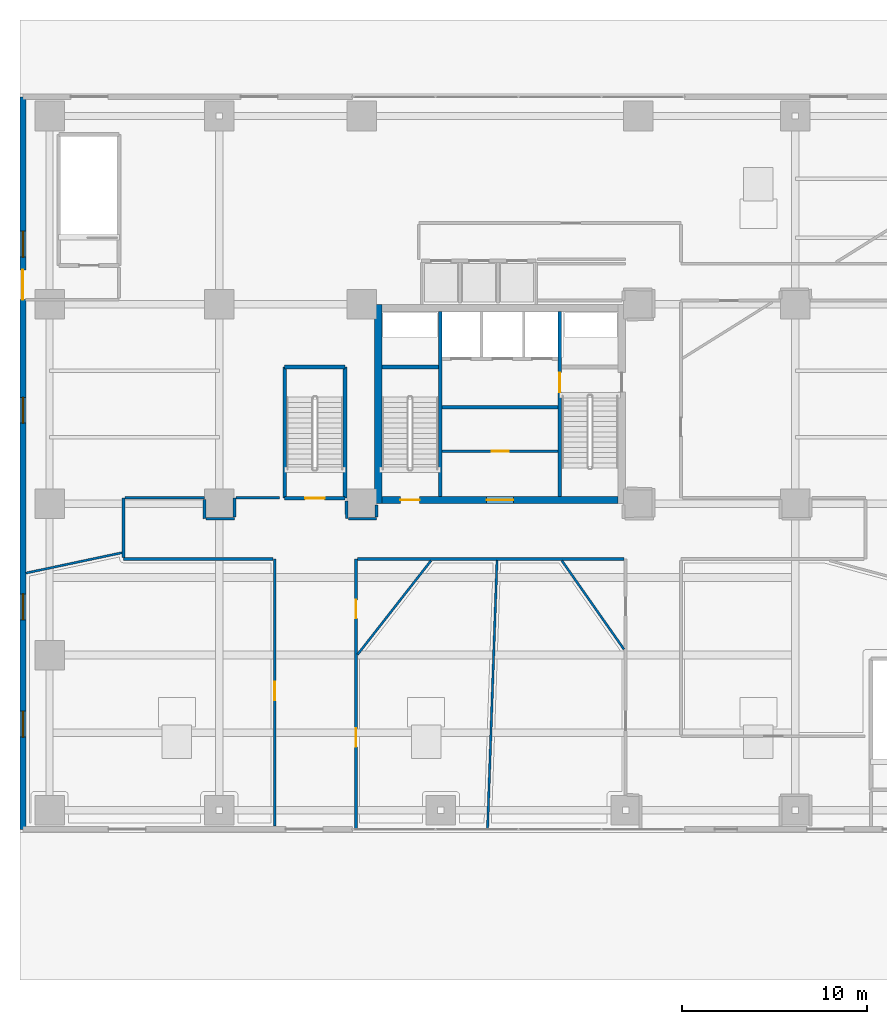
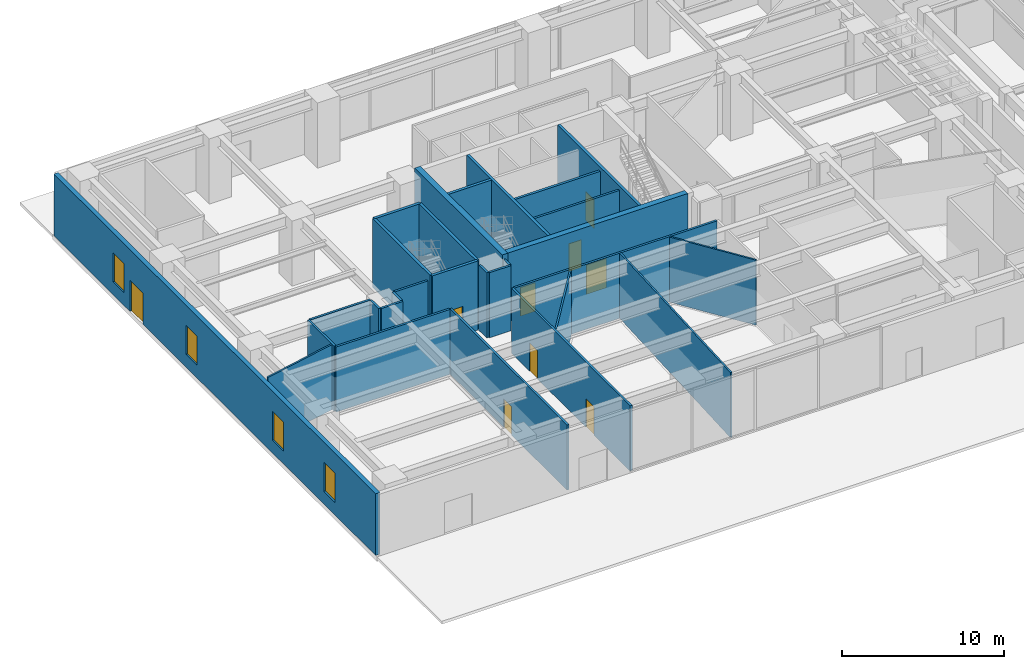
# One storey, part 18 of 28: 29 walls, 9 doors, 4 windows, 13 openings.
"""IFC4 building model written with IfcOpenShell, lengths in metres."""

from ifc_helpers import new_model, si_unit, direction, frame, frame_2d, origin, place, context, subcontext, project, spatial, rectangle, extrude, source, transform, mapped, material, layer, layer_set, type_object, type_shapes, element, fill, save


model = new_model("IFC4")

# Units and contexts
model_context = context("Model", 3, precision=1e-05, world=origin(), true_north=direction((0.0, 1.0)))
body_context = subcontext(model_context, "Body", "Model", "MODEL_VIEW")
ifc_project = project(units=[si_unit("LENGTHUNIT", "METRE"), si_unit("AREAUNIT", "SQUARE_METRE"), si_unit("VOLUMEUNIT", "CUBIC_METRE"), si_unit("PLANEANGLEUNIT", "RADIAN"), si_unit("MASSUNIT", "GRAM", prefix="KILO")], contexts=[model_context])

# Site, building, storey
site_placement = place(None, origin())
site = spatial("IfcSite", under=ifc_project, at=site_placement, CompositionType="ELEMENT")
building_placement = place(site_placement, origin())
building = spatial("IfcBuilding", under=site, at=building_placement, Name="Talar Marvaseh", CompositionType="ELEMENT")
storey_placement = place(building_placement, origin())
storey = spatial("IfcBuildingStorey", under=building, at=storey_placement, Name="L00", CompositionType="ELEMENT", Elevation=0.0)

# Wall, openings, windows, door
ifc_material_1 = material(Name="Precast concrete C45/55", Category="concrete")
ifc_layer_1 = layer(ifc_material_1, 0.31005859375)
ifc_layer_set_1 = layer_set([ifc_layer_1], Name="Precast concrete C45/55")
wall_type_1 = type_object("IfcWallType", Name="Architectural Precast Limestone Podium Facade Wall 310", PredefinedType="SOLIDWALL", material=ifc_layer_set_1)
wall_1_placement = place(storey_placement, frame((0.159912109375, 8.159912109375, 0.0), z_axis=(0.0, 0.0, 1.0), x_axis=(0.0, 1.0, 0.0)))
wall_1 = element("IfcWall", 1, at=wall_1_placement, inside=storey, type_object=wall_type_1, Name="L00 Podium West Facade Wall", PredefinedType="SOLIDWALL", context=body_context, shape_type="SweptSolid", body=[
    extrude(rectangle(XDim=39.68017578125, YDim=0.31005859375, at=frame_2d((19.840087890625, 0.0))), origin(), (0.0, 0.0, 1.0), 4.64990234375),
])
opening_1_placement = place(wall_1_placement, frame((5.0, 0.0, 0.949951171875)))
opening_1 = element("IfcOpeningElement", 2, at=opening_1_placement, cuts=wall_1, Name="Opening WN-POD14", PredefinedType="OPENING", context=body_context, shape_type="SweptSolid", body=[
    extrude(rectangle(XDim=1.39990234375, YDim=2.199951171875, at=frame_2d((0.699951171875, 1.10009765625))), frame((0.0, 0.1650390625, 0.0), z_axis=(0.0, -1.0, 0.0), x_axis=(1.0, 0.0, 0.0)), (0.0, 0.0, 1.0), 0.330078125),
])
opening_2_placement = place(wall_1_placement, frame((11.35009765625, 0.0, 0.949951171875)))
opening_2 = element("IfcOpeningElement", 3, at=opening_2_placement, cuts=wall_1, Name="Opening WN-POD14", PredefinedType="OPENING", context=body_context, shape_type="SweptSolid", body=[
    extrude(rectangle(XDim=1.39990234375, YDim=2.199951171875, at=frame_2d((0.699951171875, 1.10009765625))), frame((0.0, 0.1650390625, 0.0), z_axis=(0.0, -1.0, 0.0), x_axis=(1.0, 0.0, 0.0)), (0.0, 0.0, 1.0), 0.330078125),
])
opening_3_placement = place(wall_1_placement, frame((22.0, 0.0, 0.949951171875)))
opening_3 = element("IfcOpeningElement", 4, at=opening_3_placement, cuts=wall_1, Name="Opening WN-POD14", PredefinedType="OPENING", context=body_context, shape_type="SweptSolid", body=[
    extrude(rectangle(XDim=1.39990234375, YDim=2.199951171875, at=frame_2d((0.699951171875, 1.10009765625))), frame((0.0, 0.1650390625, 0.0), z_axis=(0.0, -1.0, 0.0), x_axis=(1.0, 0.0, 0.0)), (0.0, 0.0, 1.0), 0.330078125),
])
opening_4_placement = place(wall_1_placement, frame((31.0, 0.0, 0.949951171875)))
opening_4 = element("IfcOpeningElement", 5, at=opening_4_placement, cuts=wall_1, Name="Opening WN-POD14", PredefinedType="OPENING", context=body_context, shape_type="SweptSolid", body=[
    extrude(rectangle(XDim=1.39990234375, YDim=2.199951171875, at=frame_2d((0.699951171875, 1.10009765625))), frame((0.0, 0.1650390625, 0.0), z_axis=(0.0, -1.0, 0.0), x_axis=(1.0, 0.0, 0.0)), (0.0, 0.0, 1.0), 0.330078125),
])
opening_5_placement = place(wall_1_placement, frame((28.699951171875, 0.0, 0.0)))
opening_5 = element("IfcOpeningElement", 6, at=opening_5_placement, cuts=wall_1, Name="Opening DR-EXT16", PredefinedType="OPENING", context=body_context, shape_type="SweptSolid", body=[
    extrude(rectangle(XDim=1.60009765625, YDim=2.35009765625, at=frame_2d((0.800048828125, 1.175048828125))), frame((0.0, 0.1650390625, 0.0), z_axis=(0.0, -1.0, 0.0), x_axis=(1.0, 0.0, 0.0)), (0.0, 0.0, 1.0), 0.330078125),
])
ifc_material_2 = material(Name="Laminated Low-E Solar Glass", Category="glass")
window_type = type_object("IfcWindowType", Name="Podium Mezzanine Solar Window 1400x2200", PartitioningType="SINGLE_PANEL", PredefinedType="WINDOW", material=ifc_material_2)
shared_shape_1 = source(origin(), body_context, "Body", "SweptSolid", [
    extrude(rectangle(XDim=1.39990234375, YDim=2.199951171875, at=frame_2d((0.699951171875, 1.10009765625))), frame((0.0, 0.030029296875, 0.0), z_axis=(0.0, -1.0, 0.0), x_axis=(1.0, 0.0, 0.0)), (0.0, 0.0, 1.0), 0.06005859375),
])
type_shapes(window_type, [shared_shape_1])
window_1_placement = place(opening_1_placement, origin())
window_1 = element("IfcWindow", 7, at=window_1_placement, inside=storey, type_object=window_type, Name="L00 Podium Solar Window", OverallHeight=2.199951171875, OverallWidth=1.39990234375, PartitioningType="SINGLE_PANEL", PredefinedType="WINDOW", context=body_context, shape_type="MappedRepresentation", body=[
    mapped(shared_shape_1, transform((0.0, 0.0, 0.0), x_axis=(1.0, 0.0, 0.0), y_axis=(0.0, 1.0, 0.0), z_axis=(0.0, 0.0, 1.0), scale=1.0)),
])
fill(opening_1, window_1)
window_2_placement = place(opening_2_placement, origin())
window_2 = element("IfcWindow", 8, at=window_2_placement, inside=storey, type_object=window_type, Name="L00 Podium Solar Window", OverallHeight=2.199951171875, OverallWidth=1.39990234375, PartitioningType="SINGLE_PANEL", PredefinedType="WINDOW", context=body_context, shape_type="MappedRepresentation", body=[
    mapped(shared_shape_1, transform((0.0, 0.0, 0.0), x_axis=(1.0, 0.0, 0.0), y_axis=(0.0, 1.0, 0.0), z_axis=(0.0, 0.0, 1.0), scale=1.0)),
])
fill(opening_2, window_2)
window_3_placement = place(opening_3_placement, origin())
window_3 = element("IfcWindow", 9, at=window_3_placement, inside=storey, type_object=window_type, Name="L00 Podium Solar Window", OverallHeight=2.199951171875, OverallWidth=1.39990234375, PartitioningType="SINGLE_PANEL", PredefinedType="WINDOW", context=body_context, shape_type="MappedRepresentation", body=[
    mapped(shared_shape_1, transform((0.0, 0.0, 0.0), x_axis=(1.0, 0.0, 0.0), y_axis=(0.0, 1.0, 0.0), z_axis=(0.0, 0.0, 1.0), scale=1.0)),
])
fill(opening_3, window_3)
window_4_placement = place(opening_4_placement, origin())
window_4 = element("IfcWindow", 10, at=window_4_placement, inside=storey, type_object=window_type, Name="L00 Podium Solar Window", OverallHeight=2.199951171875, OverallWidth=1.39990234375, PartitioningType="SINGLE_PANEL", PredefinedType="WINDOW", context=body_context, shape_type="MappedRepresentation", body=[
    mapped(shared_shape_1, transform((0.0, 0.0, 0.0), x_axis=(1.0, 0.0, 0.0), y_axis=(0.0, 1.0, 0.0), z_axis=(0.0, 0.0, 1.0), scale=1.0)),
])
fill(opening_4, window_4)
ifc_material_3 = material(Name="Architectural Aluminium", Category="aluminium")
door_type_1 = type_object("IfcDoorType", Name="Station West Double Exit Door 1600x2350", OperationType="NOTDEFINED", PredefinedType="DOOR", material=ifc_material_3)
shared_shape_2 = source(origin(), body_context, "Body", "SweptSolid", [
    extrude(rectangle(XDim=1.60009765625, YDim=2.35009765625, at=frame_2d((0.800048828125, 1.175048828125))), frame((0.0, 0.02490234375, 0.0), z_axis=(0.0, -1.0, 0.0), x_axis=(1.0, 0.0, 0.0)), (0.0, 0.0, 1.0), 0.050048828125),
])
type_shapes(door_type_1, [shared_shape_2])
door_1_placement = place(opening_5_placement, origin())
door_1 = element("IfcDoor", 11, at=door_1_placement, inside=storey, type_object=door_type_1, Name="L00 Station West Passageway Final Exit Door", OperationType="DOUBLE_DOOR_SINGLE_SWING", OverallHeight=2.35009765625, OverallWidth=1.60009765625, PredefinedType="DOOR", context=body_context, shape_type="MappedRepresentation", body=[
    mapped(shared_shape_2, transform((0.0, 0.0, 0.0), x_axis=(1.0, 0.0, 0.0), y_axis=(0.0, 1.0, 0.0), z_axis=(0.0, 0.0, 1.0), scale=1.0)),
])
fill(opening_5, door_1)

# Wall, opening, door
ifc_material_4 = material(Name="Gypsum Board Partition Assembly")
ifc_layer_2 = layer(ifc_material_4, 0.155029296875)
ifc_layer_set_2 = layer_set([ifc_layer_2], Name="Gypsum Board Partition Assembly")
wall_type_2 = type_object("IfcWallType", Name="Corridor Fire-Rated Acoustic Partition 155", PredefinedType="PARTITIONING", material=ifc_layer_set_2)
wall_2_placement = place(storey_placement, frame((22.865966796875, 28.639892578125, 0.0), z_axis=(0.0, 0.0, 1.0), x_axis=(1.0, 0.0, 0.0)))
wall_2 = element("IfcWall", 12, at=wall_2_placement, inside=storey, type_object=wall_type_2, Name="L00 Core BOH Partition", PredefinedType="PARTITIONING", context=body_context, shape_type="SweptSolid", body=[
    extrude(rectangle(XDim=6.26806640625, YDim=0.155029296875, at=frame_2d((3.134033203125, 0.0))), origin(), (0.0, 0.0, 1.0), 4.89990234375),
])
opening_6_placement = place(wall_2_placement, frame((2.699951171875, 0.0, 0.0)))
opening_6 = element("IfcOpeningElement", 13, at=opening_6_placement, cuts=wall_2, Name="Opening DR-BOH090", PredefinedType="OPENING", context=body_context, shape_type="SweptSolid", body=[
    extrude(rectangle(XDim=0.89990234375, YDim=2.10009765625, at=frame_2d((0.449951171875, 1.050048828125))), frame((0.0, 0.08740234375, 0.0), z_axis=(0.0, -1.0, 0.0), x_axis=(1.0, 0.0, 0.0)), (0.0, 0.0, 1.0), 0.175048828125),
])
ifc_material_5 = material(Name="Fire-Rated Steel Door Leaf", Category="steel")
door_type_2 = type_object("IfcDoorType", Name="Core Back-of-House Service Door 900x2100", OperationType="NOTDEFINED", PredefinedType="DOOR", material=ifc_material_5)
shared_shape_3 = source(origin(), body_context, "Body", "SweptSolid", [
    extrude(rectangle(XDim=0.89990234375, YDim=2.10009765625, at=frame_2d((0.449951171875, 1.050048828125))), frame((0.0, 0.02490234375, 0.0), z_axis=(0.0, -1.0, 0.0), x_axis=(1.0, 0.0, 0.0)), (0.0, 0.0, 1.0), 0.050048828125),
])
type_shapes(door_type_2, [shared_shape_3])
door_2_placement = place(opening_6_placement, origin())
door_2 = element("IfcDoor", 14, at=door_2_placement, inside=storey, type_object=door_type_2, Name="L00 Store Core Central Archive Door", OperationType="SINGLE_SWING_LEFT", OverallHeight=2.10009765625, OverallWidth=0.89990234375, PredefinedType="DOOR", context=body_context, shape_type="MappedRepresentation", body=[
    mapped(shared_shape_3, transform((0.0, 0.0, 0.0), x_axis=(1.0, 0.0, 0.0), y_axis=(0.0, 1.0, 0.0), z_axis=(0.0, 0.0, 1.0), scale=1.0)),
])
fill(opening_6, door_2)

# Wall, openings, doors
wall_3_placement = place(storey_placement, frame((18.199951171875, 22.800048828125, 0.0), z_axis=(0.0, 0.0, 1.0), x_axis=(0.0, -1.0, 0.0)))
wall_3 = element("IfcWall", 15, at=wall_3_placement, inside=storey, type_object=wall_type_2, Name="L00 Interior Partition Wall", PredefinedType="PARTITIONING", context=body_context, shape_type="SweptSolid", body=[
    extrude(rectangle(XDim=14.614990234375, YDim=0.155029296875, at=frame_2d((7.3076171875, 0.0))), origin(), (0.0, 0.0, 1.0), 4.89990234375),
])
opening_7_placement = place(wall_3_placement, frame((2.211669921875, 0.0, 0.0)))
opening_7 = element("IfcOpeningElement", 16, at=opening_7_placement, cuts=wall_3, Name="Opening DR-RM100", PredefinedType="OPENING", context=body_context, shape_type="SweptSolid", body=[
    extrude(rectangle(XDim=1.0, YDim=2.14990234375, at=frame_2d((0.5, 1.074951171875))), frame((0.0, 0.08740234375, 0.0), z_axis=(0.0, -1.0, 0.0), x_axis=(1.0, 0.0, 0.0)), (0.0, 0.0, 1.0), 0.175048828125),
])
opening_8_placement = place(wall_3_placement, frame((9.173095703125, 0.0, 0.0)))
opening_8 = element("IfcOpeningElement", 17, at=opening_8_placement, cuts=wall_3, Name="Opening DR-RM100", PredefinedType="OPENING", context=body_context, shape_type="SweptSolid", body=[
    extrude(rectangle(XDim=1.0, YDim=2.14990234375, at=frame_2d((0.5, 1.074951171875))), frame((0.0, 0.08740234375, 0.0), z_axis=(0.0, -1.0, 0.0), x_axis=(1.0, 0.0, 0.0)), (0.0, 0.0, 1.0), 0.175048828125),
])
ifc_material_6 = material(Name="Acoustic Engineered Oak Timber", Category="wood")
door_type_3 = type_object("IfcDoorType", Name="Corridor Fire-Rated Gallery Door 1000x2150", OperationType="NOTDEFINED", PredefinedType="DOOR", material=ifc_material_6)
shared_shape_4 = source(origin(), body_context, "Body", "SweptSolid", [
    extrude(rectangle(XDim=1.0, YDim=2.14990234375, at=frame_2d((0.5, 1.074951171875))), frame((0.0, 0.02490234375, 0.0), z_axis=(0.0, -1.0, 0.0), x_axis=(1.0, 0.0, 0.0)), (0.0, 0.0, 1.0), 0.050048828125),
])
type_shapes(door_type_3, [shared_shape_4])
door_3_placement = place(opening_7_placement, origin())
door_3 = element("IfcDoor", 18, at=door_3_placement, inside=storey, type_object=door_type_3, Name="L00 Cultural Tower Grand Entrance Foyer Door", OperationType="SINGLE_SWING_RIGHT", OverallHeight=2.14990234375, OverallWidth=1.0, PredefinedType="DOOR", context=body_context, shape_type="MappedRepresentation", body=[
    mapped(shared_shape_4, transform((0.0, 0.0, 0.0), x_axis=(1.0, 0.0, 0.0), y_axis=(0.0, 1.0, 0.0), z_axis=(0.0, 0.0, 1.0), scale=1.0)),
])
fill(opening_7, door_3)
door_4_placement = place(opening_8_placement, origin())
door_4 = element("IfcDoor", 19, at=door_4_placement, inside=storey, type_object=door_type_3, Name="L00 Fire Command and Control Room Door", OperationType="SINGLE_SWING_LEFT", OverallHeight=2.14990234375, OverallWidth=1.0, PredefinedType="DOOR", context=body_context, shape_type="MappedRepresentation", body=[
    mapped(shared_shape_4, transform((0.0, 0.0, 0.0), x_axis=(1.0, 0.0, 0.0), y_axis=(0.0, 1.0, 0.0), z_axis=(0.0, 0.0, 1.0), scale=1.0)),
])
fill(opening_8, door_4)

# Wall, opening, door
wall_4_placement = place(storey_placement, frame((13.800048828125, 8.35009765625, 0.0), z_axis=(0.0, 0.0, 1.0), x_axis=(0.0, 1.0, 0.0)))
wall_4 = element("IfcWall", 20, at=wall_4_placement, inside=storey, type_object=wall_type_2, Name="L00 Interior Partition Wall", PredefinedType="PARTITIONING", context=body_context, shape_type="SweptSolid", body=[
    extrude(rectangle(XDim=14.449951171875, YDim=0.155029296875, at=frame_2d((7.22509765625, 0.0))), origin(), (0.0, 0.0, 1.0), 4.89990234375),
])
opening_9_placement = place(wall_4_placement, frame((6.804931640625, 0.0, 0.0)))
opening_9 = element("IfcOpeningElement", 21, at=opening_9_placement, cuts=wall_4, Name="Opening DR-RM100", PredefinedType="OPENING", context=body_context, shape_type="SweptSolid", body=[
    extrude(rectangle(XDim=1.0, YDim=2.14990234375, at=frame_2d((0.5, 1.074951171875))), frame((0.0, 0.08740234375, 0.0), z_axis=(0.0, -1.0, 0.0), x_axis=(1.0, 0.0, 0.0)), (0.0, 0.0, 1.0), 0.175048828125),
])
door_5_placement = place(opening_9_placement, origin())
door_5 = element("IfcDoor", 22, at=door_5_placement, inside=storey, type_object=door_type_3, Name="L00 Metro Station Ground Concourse Door", OperationType="SINGLE_SWING_LEFT", OverallHeight=2.14990234375, OverallWidth=1.0, PredefinedType="DOOR", context=body_context, shape_type="MappedRepresentation", body=[
    mapped(shared_shape_4, transform((0.0, 0.0, 0.0), x_axis=(1.0, 0.0, 0.0), y_axis=(0.0, 1.0, 0.0), z_axis=(0.0, 0.0, 1.0), scale=1.0)),
])
fill(opening_9, door_5)

# Walls
wall_5_placement = place(storey_placement, frame((32.716552734375, 22.800048828125, 0.0), z_axis=(0.0, 0.0, 1.0), x_axis=(-1.0, 0.0, 0.0)))
element("IfcWall", 23, at=wall_5_placement, inside=storey, type_object=wall_type_2, Name="L00 Interior Partition Wall", PredefinedType="PARTITIONING", context=body_context, shape_type="SweptSolid", body=[
    extrude(rectangle(XDim=14.43310546875, YDim=0.155029296875, at=frame_2d((7.216552734375, 0.0))), origin(), (0.0, 0.0, 1.0), 4.89990234375),
])
wall_6_placement = place(storey_placement, frame((13.716552734375, 22.800048828125, 0.0), z_axis=(0.0, 0.0, 1.0), x_axis=(-1.0, 0.0, 0.0)))
element("IfcWall", 24, at=wall_6_placement, inside=storey, type_object=wall_type_2, Name="L00 Interior Partition Wall", PredefinedType="PARTITIONING", context=body_context, shape_type="SweptSolid", body=[
    extrude(rectangle(XDim=8.116455078125, YDim=0.155029296875, at=frame_2d((4.05810546875, 0.0))), origin(), (0.0, 0.0, 1.0), 4.89990234375),
])
wall_7_placement = place(storey_placement, frame((5.60009765625, 22.883544921875, 0.0), z_axis=(0.0, 0.0, 1.0), x_axis=(0.0, 1.0, 0.0)))
element("IfcWall", 25, at=wall_7_placement, inside=storey, type_object=wall_type_2, Name="L00 Interior Partition Wall", PredefinedType="PARTITIONING", context=body_context, shape_type="SweptSolid", body=[
    extrude(rectangle(XDim=3.236572265625, YDim=0.155029296875, at=frame_2d((1.6181640625, 0.0))), origin(), (0.0, 0.0, 1.0), 4.89990234375),
])
wall_8_placement = place(storey_placement, frame((5.68359375, 26.1201171875, 0.0), z_axis=(0.0, 0.0, 1.0), x_axis=(1.0, 0.0, 0.0)))
element("IfcWall", 26, at=wall_8_placement, inside=storey, type_object=wall_type_2, Name="L00 Interior Partition Wall", PredefinedType="PARTITIONING", context=body_context, shape_type="SweptSolid", body=[
    extrude(rectangle(XDim=4.301513671875, YDim=0.155029296875, at=frame_2d((2.15087890625, 0.0))), origin(), (0.0, 0.0, 1.0), 4.89990234375),
])
wall_9_placement = place(storey_placement, frame((9.986083984375, 26.03662109375, 0.0), z_axis=(0.0, 0.0, 1.0), x_axis=(0.013233110982, -0.999912438553, 0.0)))
element("IfcWall", 27, at=wall_9_placement, inside=storey, type_object=wall_type_2, Name="L00 Interior Partition Wall", PredefinedType="PARTITIONING", context=body_context, shape_type="SweptSolid", body=[
    extrude(rectangle(XDim=1.051513671875, YDim=0.155029296875, at=frame_2d((0.52587890625, 0.0))), origin(), (0.0, 0.0, 1.0), 4.89990234375),
])
wall_10_placement = place(storey_placement, frame((10.08349609375, 24.985107421875, 0.0), z_axis=(0.0, 0.0, 1.0), x_axis=(0.999998718362, 0.001601022604, 0.0)))
element("IfcWall", 28, at=wall_10_placement, inside=storey, type_object=wall_type_2, Name="L00 Interior Partition Wall", PredefinedType="PARTITIONING", context=body_context, shape_type="SweptSolid", body=[
    extrude(rectangle(XDim=1.52490234375, YDim=0.155029296875, at=frame_2d((0.762451171875, 0.0))), origin(), (0.0, 0.0, 1.0), 4.89990234375),
])
wall_11_placement = place(storey_placement, frame((11.60888671875, 25.071044921875, 0.0), z_axis=(0.0, 0.0, 1.0), x_axis=(0.005817914102, 0.999983075795, 0.0)))
element("IfcWall", 29, at=wall_11_placement, inside=storey, type_object=wall_type_2, Name="L00 Interior Partition Wall", PredefinedType="PARTITIONING", context=body_context, shape_type="SweptSolid", body=[
    extrude(rectangle(XDim=1.049072265625, YDim=0.155029296875, at=frame_2d((0.5244140625, 0.0))), origin(), (0.0, 0.0, 1.0), 4.89990234375),
])
wall_12_placement = place(storey_placement, frame((11.698486328125, 26.1201171875, 0.0), z_axis=(0.0, 0.0, 1.0), x_axis=(1.0, 0.0, 0.0)))
element("IfcWall", 30, at=wall_12_placement, inside=storey, type_object=wall_type_2, Name="L00 Interior Partition Wall", PredefinedType="PARTITIONING", context=body_context, shape_type="SweptSolid", body=[
    extrude(rectangle(XDim=2.3515625, YDim=0.155029296875, at=frame_2d((1.17578125, 0.0))), origin(), (0.0, 0.0, 1.0), 4.89990234375),
])
wall_13_placement = place(storey_placement, frame((17.68505859375, 25.949951171875, 0.0), z_axis=(0.0, 0.0, 1.0), x_axis=(0.013915656501, -0.999903172564, 0.0)))
element("IfcWall", 31, at=wall_13_placement, inside=storey, type_object=wall_type_2, Name="L00 Interior Partition Wall", PredefinedType="PARTITIONING", context=body_context, shape_type="SweptSolid", body=[
    extrude(rectangle(XDim=0.96484375, YDim=0.155029296875, at=frame_2d((0.482421875, 0.0))), origin(), (0.0, 0.0, 1.0), 4.89990234375),
])
wall_14_placement = place(storey_placement, frame((17.781982421875, 24.985107421875, 0.0), z_axis=(0.0, 0.0, 1.0), x_axis=(0.999999372198, 0.001120537155, 0.0)))
element("IfcWall", 32, at=wall_14_placement, inside=storey, type_object=wall_type_2, Name="L00 Interior Partition Wall", PredefinedType="PARTITIONING", context=body_context, shape_type="SweptSolid", body=[
    extrude(rectangle(XDim=1.525146484375, YDim=0.155029296875, at=frame_2d((0.7626953125, 0.0))), origin(), (0.0, 0.0, 1.0), 4.89990234375),
])
wall_15_placement = place(storey_placement, frame((19.30810546875, 25.0703125, 0.0), z_axis=(0.0, 0.0, 1.0), x_axis=(0.010362137944, 0.999946311607, 0.0)))
element("IfcWall", 33, at=wall_15_placement, inside=storey, type_object=wall_type_2, Name="L00 Interior Partition Wall", PredefinedType="PARTITIONING", context=body_context, shape_type="SweptSolid", body=[
    extrude(rectangle(XDim=0.65966796875, YDim=0.155029296875, at=frame_2d((0.329833984375, 0.0))), origin(), (0.0, 0.0, 1.0), 4.89990234375),
])
ifc_layer_3 = layer(ifc_material_4, 0.1201171875)
ifc_layer_set_3 = layer_set([ifc_layer_3], Name="Gypsum Board Partition Assembly")
wall_type_3 = type_object("IfcWallType", Name="Demountable Studio Room Partition 120", PredefinedType="PARTITIONING", material=ifc_layer_set_3)
wall_16_placement = place(storey_placement, frame((0.31005859375, 22.0400390625, 0.0), z_axis=(0.0, 0.0, 1.0), x_axis=(0.97831641384, 0.207115896086, 0.0)))
element("IfcWall", 34, at=wall_16_placement, inside=storey, type_object=wall_type_3, Name="L00 Interior Partition Wall", PredefinedType="PARTITIONING", context=body_context, shape_type="SweptSolid", body=[
    extrude(rectangle(XDim=5.342041015625, YDim=0.1201171875, at=frame_2d((2.6708984375, 0.0))), origin(), (0.0, 0.0, 1.0), 4.89990234375),
])
wall_17_placement = place(storey_placement, frame((22.2646484375, 22.716552734375, 0.0), z_axis=(0.0, 0.0, 1.0), x_axis=(-0.616101439236, -0.787666818249, 0.0)))
element("IfcWall", 35, at=wall_17_placement, inside=storey, type_object=wall_type_3, Name="L00 Interior Partition Wall", PredefinedType="PARTITIONING", context=body_context, shape_type="SweptSolid", body=[
    extrude(rectangle(XDim=6.4619140625, YDim=0.1201171875, at=frame_2d((3.23095703125, 0.0))), origin(), (0.0, 0.0, 1.0), 4.89990234375),
])
wall_18_placement = place(storey_placement, frame((25.837646484375, 22.735107421875, 0.0), z_axis=(0.0, 0.0, 1.0), x_axis=(-0.035164573371, -0.99938153514, 0.0)))
element("IfcWall", 36, at=wall_18_placement, inside=storey, type_object=wall_type_3, Name="L00 Interior Partition Wall", PredefinedType="PARTITIONING", context=body_context, shape_type="SweptSolid", body=[
    extrude(rectangle(XDim=14.55908203125, YDim=0.1201171875, at=frame_2d((7.279541015625, 0.0))), origin(), (0.0, 0.0, 1.0), 4.89990234375),
])
wall_19_placement = place(storey_placement, frame((29.348388671875, 22.716552734375, 0.0), z_axis=(0.0, 0.0, 1.0), x_axis=(0.573805638795, -0.818991507213, 0.0)))
element("IfcWall", 37, at=wall_19_placement, inside=storey, type_object=wall_type_3, Name="L00 Interior Partition Wall", PredefinedType="PARTITIONING", context=body_context, shape_type="SweptSolid", body=[
    extrude(rectangle(XDim=5.869873046875, YDim=0.1201171875, at=frame_2d((2.93505859375, 0.0))), origin(), (0.0, 0.0, 1.0), 4.89990234375),
])
ifc_layer_4 = layer(ifc_material_1, 0.175048828125)
ifc_layer_set_4 = layer_set([ifc_layer_4], Name="Precast concrete C45/55")
wall_type_4 = type_object("IfcWallType", Name="Fire-Rated Lift Hoistway Enclosure Wall 175", PredefinedType="SOLIDWALL", material=ifc_layer_set_4)
wall_20_placement = place(storey_placement, frame((22.860107421875, 31.02001953125, 0.0), z_axis=(0.0, 0.0, 1.0), x_axis=(1.0, 0.0, 0.0)))
element("IfcWall", 38, at=wall_20_placement, inside=storey, type_object=wall_type_4, Name="L00 Firefighting Lobby South Smoke Wall", PredefinedType="SOLIDWALL", context=body_context, shape_type="SweptSolid", body=[
    extrude(rectangle(XDim=6.27978515625, YDim=0.175048828125, at=frame_2d((3.139892578125, 0.0))), origin(), (0.0, 0.0, 1.0), 4.89990234375),
])
ifc_material_7 = material(Name="Concrete C70/85", Category="concrete")
ifc_layer_5 = layer(ifc_material_7, 0.39990234375)
ifc_layer_set_5 = layer_set([ifc_layer_5], Name="Concrete C70/85")
wall_type_5 = type_object("IfcWallType", Name="Lower Core Reinforced Concrete Shear Wall 400", PredefinedType="SHEAR", material=ifc_layer_set_5)
wall_21_placement = place(storey_placement, frame((19.39990234375, 25.800048828125, 0.0), z_axis=(0.0, 0.0, 1.0), x_axis=(0.0, 1.0, 0.0)))
element("IfcWall", 39, at=wall_21_placement, inside=storey, type_object=wall_type_5, Name="L00 West Core Shear Wall", PredefinedType="SHEAR", context=body_context, shape_type="SweptSolid", body=[
    extrude(rectangle(XDim=10.800048828125, YDim=0.39990234375, at=frame_2d((5.39990234375, 0.0))), origin(), (0.0, 0.0, 1.0), 5.199951171875),
])

# Wall, openings, doors
wall_22_placement = place(storey_placement, frame((32.39990234375, 26.0, 0.0), z_axis=(0.0, 0.0, 1.0), x_axis=(-1.0, 0.0, 0.0)))
wall_22 = element("IfcWall", 40, at=wall_22_placement, inside=storey, type_object=wall_type_5, Name="L00 South Core Shear Wall", PredefinedType="SHEAR", context=body_context, shape_type="SweptSolid", body=[
    extrude(rectangle(XDim=12.7998046875, YDim=0.39990234375, at=frame_2d((6.39990234375, 0.0))), origin(), (0.0, 0.0, 1.0), 5.199951171875),
])
opening_10_placement = place(wall_22_placement, frame((10.75, 0.0, 0.0)))
opening_10 = element("IfcOpeningElement", 41, at=opening_10_placement, cuts=wall_22, Name="Opening DR-ST105", PredefinedType="OPENING", context=body_context, shape_type="SweptSolid", body=[
    extrude(rectangle(XDim=1.050048828125, YDim=2.14990234375, at=frame_2d((0.52490234375, 1.074951171875))), frame((0.0, 0.2099609375, 0.0), z_axis=(0.0, -1.0, 0.0), x_axis=(1.0, 0.0, 0.0)), (0.0, 0.0, 1.0), 0.419921875),
])
opening_11_placement = place(wall_22_placement, frame((5.669921875, 0.0, 0.0)))
opening_11 = element("IfcOpeningElement", 42, at=opening_11_placement, cuts=wall_22, Name="Opening DR-LBY145", PredefinedType="OPENING", context=body_context, shape_type="SweptSolid", body=[
    extrude(rectangle(XDim=1.449951171875, YDim=2.199951171875, at=frame_2d((0.72509765625, 1.10009765625))), frame((0.0, 0.2099609375, 0.0), z_axis=(0.0, -1.0, 0.0), x_axis=(1.0, 0.0, 0.0)), (0.0, 0.0, 1.0), 0.419921875),
])
door_type_4 = type_object("IfcDoorType", Name="Protected Exit Stair Fire Door 1050x2150", OperationType="NOTDEFINED", PredefinedType="DOOR", material=ifc_material_5)
shared_shape_5 = source(origin(), body_context, "Body", "SweptSolid", [
    extrude(rectangle(XDim=1.050048828125, YDim=2.14990234375, at=frame_2d((0.52490234375, 1.074951171875))), frame((0.0, 0.02490234375, 0.0), z_axis=(0.0, -1.0, 0.0), x_axis=(1.0, 0.0, 0.0)), (0.0, 0.0, 1.0), 0.050048828125),
])
type_shapes(door_type_4, [shared_shape_5])
door_6_placement = place(opening_10_placement, origin())
door_6 = element("IfcDoor", 43, at=door_6_placement, inside=storey, type_object=door_type_4, Name="L00 Stair ST-1 Exit Door", OperationType="SINGLE_SWING_RIGHT", OverallHeight=2.14990234375, OverallWidth=1.050048828125, PredefinedType="DOOR", context=body_context, shape_type="MappedRepresentation", body=[
    mapped(shared_shape_5, transform((0.0, 0.0, 0.0), x_axis=(1.0, 0.0, 0.0), y_axis=(0.0, 1.0, 0.0), z_axis=(0.0, 0.0, 1.0), scale=1.0)),
])
fill(opening_10, door_6)
door_type_5 = type_object("IfcDoorType", Name="Core Lift Lobby Double Smoke Door 1450x2200", OperationType="NOTDEFINED", PredefinedType="DOOR", material=ifc_material_5)
shared_shape_6 = source(origin(), body_context, "Body", "SweptSolid", [
    extrude(rectangle(XDim=1.449951171875, YDim=2.199951171875, at=frame_2d((0.72509765625, 1.10009765625))), frame((0.0, 0.02490234375, 0.0), z_axis=(0.0, -1.0, 0.0), x_axis=(1.0, 0.0, 0.0)), (0.0, 0.0, 1.0), 0.050048828125),
])
type_shapes(door_type_5, [shared_shape_6])
door_7_placement = place(opening_11_placement, origin())
door_7 = element("IfcDoor", 44, at=door_7_placement, inside=storey, type_object=door_type_5, Name="L00 Passenger Lift Lobby Entrance Door", OperationType="DOUBLE_DOOR_SINGLE_SWING", OverallHeight=2.199951171875, OverallWidth=1.449951171875, PredefinedType="DOOR", context=body_context, shape_type="MappedRepresentation", body=[
    mapped(shared_shape_6, transform((0.0, 0.0, 0.0), x_axis=(1.0, 0.0, 0.0), y_axis=(0.0, 1.0, 0.0), z_axis=(0.0, 0.0, 1.0), scale=1.0)),
])
fill(opening_11, door_7)

# Wall
ifc_material_8 = material(Name="Concrete C50/60", Category="concrete")
ifc_layer_6 = layer(ifc_material_8, 0.199951171875)
ifc_layer_set_6 = layer_set([ifc_layer_6], Name="Concrete C50/60")
wall_type_6 = type_object("IfcWallType", Name="Stair Shaft Structural Concrete Shear Wall 200", PredefinedType="SHEAR", material=ifc_layer_set_6)
wall_23_placement = place(storey_placement, frame((22.760009765625, 26.199951171875, 0.0), z_axis=(0.0, 0.0, 1.0), x_axis=(0.0, 1.0, 0.0)))
element("IfcWall", 45, at=wall_23_placement, inside=storey, type_object=wall_type_6, Name="L00 Core West Stair Shear Wall", PredefinedType="SHEAR", context=body_context, shape_type="SweptSolid", body=[
    extrude(rectangle(XDim=10.0, YDim=0.199951171875, at=frame_2d((5.0, 0.0))), origin(), (0.0, 0.0, 1.0), 5.199951171875),
])

# Wall, opening, door
wall_24_placement = place(storey_placement, frame((29.239990234375, 26.199951171875, 0.0), z_axis=(0.0, 0.0, 1.0), x_axis=(0.0, 1.0, 0.0)))
wall_24 = element("IfcWall", 46, at=wall_24_placement, inside=storey, type_object=wall_type_6, Name="L00 Core East Stair Shear Wall", PredefinedType="SHEAR", context=body_context, shape_type="SweptSolid", body=[
    extrude(rectangle(XDim=10.0, YDim=0.199951171875, at=frame_2d((5.0, 0.0))), origin(), (0.0, 0.0, 1.0), 5.199951171875),
])
opening_12_placement = place(wall_24_placement, frame((5.64990234375, 0.0, 0.0)))
opening_12 = element("IfcOpeningElement", 47, at=opening_12_placement, cuts=wall_24, Name="Opening DR-ST105", PredefinedType="OPENING", context=body_context, shape_type="SweptSolid", body=[
    extrude(rectangle(XDim=1.050048828125, YDim=2.14990234375, at=frame_2d((0.52490234375, 1.074951171875))), frame((0.0, 0.10986328125, 0.0), z_axis=(0.0, -1.0, 0.0), x_axis=(1.0, 0.0, 0.0)), (0.0, 0.0, 1.0), 0.219970703125),
])
door_8_placement = place(opening_12_placement, origin())
door_8 = element("IfcDoor", 48, at=door_8_placement, inside=storey, type_object=door_type_4, Name="L00 Firefighting Lobby to Stair ST-2 Door", OperationType="SINGLE_SWING_LEFT", OverallHeight=2.14990234375, OverallWidth=1.050048828125, PredefinedType="DOOR", context=body_context, shape_type="MappedRepresentation", body=[
    mapped(shared_shape_5, transform((0.0, 0.0, 0.0), x_axis=(1.0, 0.0, 0.0), y_axis=(0.0, 1.0, 0.0), z_axis=(0.0, 0.0, 1.0), scale=1.0)),
])
fill(opening_12, door_8)

# Wall
wall_25_placement = place(storey_placement, frame((19.60009765625, 33.199951171875, 0.0), z_axis=(0.0, 0.0, 1.0), x_axis=(1.0, 0.0, 0.0)))
element("IfcWall", 49, at=wall_25_placement, inside=storey, type_object=wall_type_6, Name="L00 Stair ST-1 North Shear Wall", PredefinedType="SHEAR", context=body_context, shape_type="SweptSolid", body=[
    extrude(rectangle(XDim=3.059814453125, YDim=0.199951171875, at=frame_2d((1.52978515625, 0.0))), origin(), (0.0, 0.0, 1.0), 5.199951171875),
])

# Wall, opening, door
wall_26_placement = place(storey_placement, frame((17.60009765625, 26.10009765625, 0.0), z_axis=(0.0, 0.0, 1.0), x_axis=(-1.0, 0.0, 0.0)))
wall_26 = element("IfcWall", 50, at=wall_26_placement, inside=storey, type_object=wall_type_6, Name="L00 Stair ST-3 South Shear Wall", PredefinedType="SHEAR", context=body_context, shape_type="SweptSolid", body=[
    extrude(rectangle(XDim=3.260009765625, YDim=0.199951171875, at=frame_2d((1.6298828125, 0.0))), origin(), (0.0, 0.0, 1.0), 5.199951171875),
])
opening_13_placement = place(wall_26_placement, frame((1.10009765625, 0.0, 0.0)))
opening_13 = element("IfcOpeningElement", 51, at=opening_13_placement, cuts=wall_26, Name="Opening DR-ST105", PredefinedType="OPENING", context=body_context, shape_type="SweptSolid", body=[
    extrude(rectangle(XDim=1.050048828125, YDim=2.14990234375, at=frame_2d((0.52490234375, 1.074951171875))), frame((0.0, 0.10986328125, 0.0), z_axis=(0.0, -1.0, 0.0), x_axis=(1.0, 0.0, 0.0)), (0.0, 0.0, 1.0), 0.219970703125),
])
door_9_placement = place(opening_13_placement, origin())
door_9 = element("IfcDoor", 52, at=door_9_placement, inside=storey, type_object=door_type_4, Name="L00 Stair ST-3 Exit Door", OperationType="SINGLE_SWING_LEFT", OverallHeight=2.14990234375, OverallWidth=1.050048828125, PredefinedType="DOOR", context=body_context, shape_type="MappedRepresentation", body=[
    mapped(shared_shape_5, transform((0.0, 0.0, 0.0), x_axis=(1.0, 0.0, 0.0), y_axis=(0.0, 1.0, 0.0), z_axis=(0.0, 0.0, 1.0), scale=1.0)),
])
fill(opening_13, door_9)

# Walls
wall_27_placement = place(storey_placement, frame((14.340087890625, 33.199951171875, 0.0), z_axis=(0.0, 0.0, 1.0), x_axis=(1.0, 0.0, 0.0)))
element("IfcWall", 53, at=wall_27_placement, inside=storey, type_object=wall_type_6, Name="L00 Stair ST-3 North Shear Wall", PredefinedType="SHEAR", context=body_context, shape_type="SweptSolid", body=[
    extrude(rectangle(XDim=3.260009765625, YDim=0.199951171875, at=frame_2d((1.6298828125, 0.0))), origin(), (0.0, 0.0, 1.0), 5.199951171875),
])
for number, where, z_axis, x_axis, name in (
    (54, (14.340087890625, 26.10009765625, 0.0), (0.0, 0.0, 1.0), (0.0, 1.0, 0.0), "L00 Stair ST-3 West Shear Wall"),
    (55, (17.60009765625, 26.10009765625, 0.0), (0.0, 0.0, 1.0), (0.0, 1.0, 0.0), "L00 Stair ST-3 East Shear Wall"),
):
    element("IfcWall", number, at=place(storey_placement, frame(where, z_axis=z_axis, x_axis=x_axis)), inside=storey, type_object=wall_type_6, Name=name, PredefinedType="SHEAR", context=body_context, shape_type="SweptSolid", body=[
        extrude(rectangle(XDim=7.099853515625, YDim=0.199951171875, at=frame_2d((3.5498046875, 0.0))), origin(), (0.0, 0.0, 1.0), 5.199951171875),
    ])

save(model, "model.ifc")
